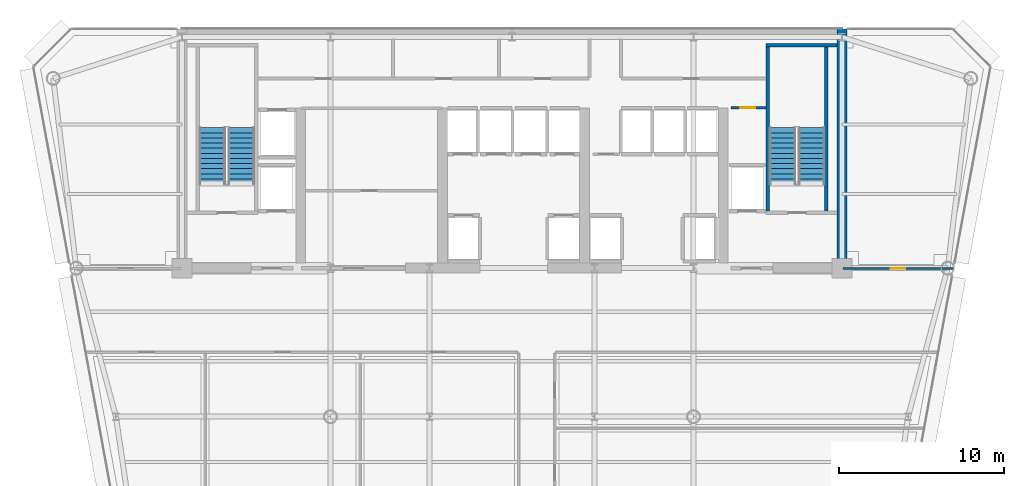
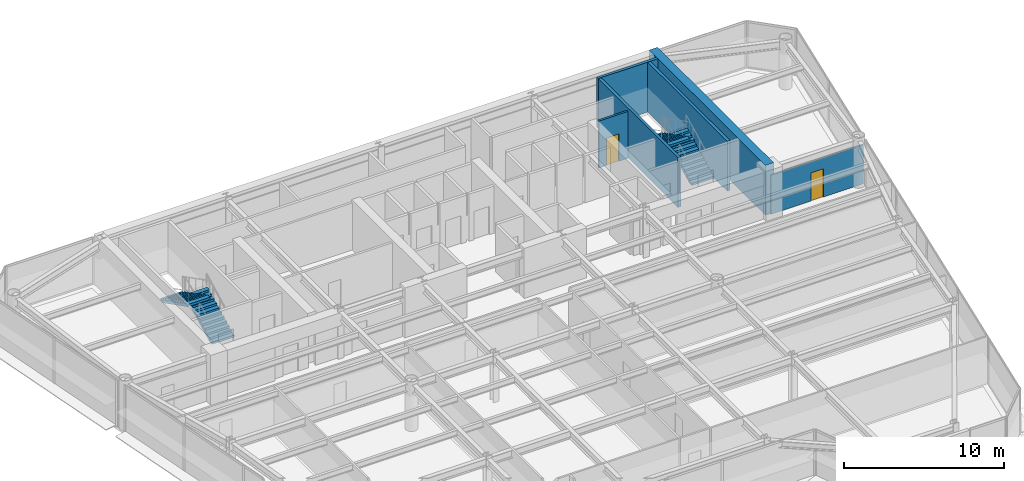
# One storey, part 13 of 17: 6 walls, 4 stair flights, 2 doors, 2 openings, 2 elements without a shape of their own.
"""IFC4 building model written with IfcOpenShell, lengths in metres."""

from ifc_helpers import new_model, si_unit, direction, frame, frame_2d, origin, place, context, subcontext, project, spatial, polyline, rectangle, outline, extrude, source, transform, mapped, material, layer, layer_set, type_object, element, fill, aggregate, save


model = new_model("IFC4")

# Units and contexts
model_context = context("Model", 3, precision=1e-05, world=origin(), true_north=direction((0.0, 1.0)))
body_context = subcontext(model_context, "Body", "Model", "MODEL_VIEW")
ifc_project = project(units=[si_unit("LENGTHUNIT", "METRE"), si_unit("AREAUNIT", "SQUARE_METRE"), si_unit("VOLUMEUNIT", "CUBIC_METRE"), si_unit("PLANEANGLEUNIT", "RADIAN"), si_unit("MASSUNIT", "GRAM", prefix="KILO")], contexts=[model_context])

# Site, building, storey
site_placement = place(None, origin())
site = spatial("IfcSite", under=ifc_project, at=site_placement, CompositionType="ELEMENT")
building_placement = place(site_placement, origin())
building = spatial("IfcBuilding", under=site, at=building_placement, Name="Vaeldorn Concourse Tower", CompositionType="ELEMENT")
storey_placement = place(building_placement, frame((0.0, 0.0, 180.39990234375)))
storey = spatial("IfcBuildingStorey", under=building, at=storey_placement, Name="L46", CompositionType="ELEMENT", Elevation=180.39990234375)

# Wall
ifc_material_1 = material(Name="Concrete C50/60", Category="concrete")
ifc_layer_1 = layer(ifc_material_1, 0.60009765625)
ifc_layer_set_1 = layer_set([ifc_layer_1], Name="Concrete C50/60")
wall_type_1 = type_object("IfcWallType", Name="WL-CORE-600", PredefinedType="SHEAR", material=ifc_layer_set_1)
wall_1_placement = place(storey_placement, frame((54.0, 36.5, 0.0), z_axis=(0.0, 0.0, 1.0), x_axis=(0.0, 1.0, 0.0)))
element("IfcWall", 1, at=wall_1_placement, inside=storey, type_object=wall_type_1, Name="Rear Core Shear Wall L46 E1", PredefinedType="SHEAR", context=body_context, shape_type="SweptSolid", body=[
    extrude(rectangle(XDim=14.5, YDim=0.60009765625, at=frame_2d((7.25, 0.0))), origin(), (0.0, 0.0, 1.0), 3.800048828125),
])

# Wall, opening, door
ifc_material_2 = material(Name="Gypsum Board Partition", Category="gypsum")
ifc_layer_2 = layer(ifc_material_2, 0.1201171875)
ifc_layer_set_2 = layer_set([ifc_layer_2], Name="Gypsum Board Partition")
wall_type_2 = type_object("IfcWallType", Name="WL-PART-120", PredefinedType="PARTITIONING", material=ifc_layer_set_2)
wall_2_placement = place(storey_placement, frame((54.06005859375, 36.47998046875, 0.0), z_axis=(0.0, 0.0, 1.0), x_axis=(1.0, 0.0, 0.0)))
wall_2 = element("IfcWall", 2, at=wall_2_placement, inside=storey, type_object=wall_type_2, Name="Interior Wall PW-L46-NES", PredefinedType="PARTITIONING", context=body_context, shape_type="SweptSolid", body=[
    extrude(rectangle(XDim=6.65087890625, YDim=0.1201171875, at=frame_2d((3.325439453125, 0.0))), origin(), (0.0, 0.0, 1.0), 2.97021484375),
])
opening_1_placement = place(wall_2_placement, frame((2.875, 0.0, 0.0)))
opening_1 = element("IfcOpeningElement", 3, at=opening_1_placement, cuts=wall_2, Name="Opening D-03", PredefinedType="OPENING", context=body_context, shape_type="SweptSolid", body=[
    extrude(rectangle(XDim=0.89990234375, YDim=2.14990234375, at=frame_2d((0.449951171875, 1.074951171875))), frame((0.0, 0.070068359375, 0.0), z_axis=(0.0, -1.0, 0.0), x_axis=(1.0, 0.0, 0.0)), (0.0, 0.0, 1.0), 0.14013671875),
])
ifc_material_3 = material(Name="Acoustic Bronze-Framed Glass Door", Category="glass")
door_type_1 = type_object("IfcDoorType", Name="DR-INT-900", OperationType="NOTDEFINED", PredefinedType="DOOR", material=ifc_material_3)
shared_shape_1 = source(origin(), body_context, "Body", "SweptSolid", [
    extrude(rectangle(XDim=0.89990234375, YDim=2.14990234375, at=frame_2d((0.449951171875, 1.074951171875))), frame((0.0, 0.02490234375, 0.0), z_axis=(0.0, -1.0, 0.0), x_axis=(1.0, 0.0, 0.0)), (0.0, 0.0, 1.0), 0.050048828125),
])
door_1_placement = place(opening_1_placement, origin())
door_1 = element("IfcDoor", 4, at=door_1_placement, inside=storey, type_object=door_type_1, Name="Interior Door DR-L46-NEC", OperationType="SINGLE_SWING_RIGHT", OverallHeight=2.14990234375, OverallWidth=0.89990234375, PredefinedType="DOOR", context=body_context, shape_type="MappedRepresentation", body=[
    mapped(shared_shape_1, transform((0.0, 0.0, 0.0), scale=1.0)),
])
fill(opening_1, door_1)

ifc_layer_3 = layer(ifc_material_2, 0.14990234375)
ifc_layer_set_3 = layer_set([ifc_layer_3], Name="Gypsum Board Partition")
wall_type_3 = type_object("IfcWallType", Name="WL-PART-150", PredefinedType="PARTITIONING", material=ifc_layer_set_3)
wall_3_placement = place(storey_placement, frame((47.280029296875, 46.219970703125, 0.0), z_axis=(0.0, 0.0, 1.0), x_axis=(1.0, 0.0, 0.0)))
wall_3 = element("IfcWall", 5, at=wall_3_placement, inside=storey, type_object=wall_type_3, Name="Interior Wall CW-L46-CRSE-N", PredefinedType="PARTITIONING", context=body_context, shape_type="SweptSolid", body=[
    extrude(rectangle(XDim=2.099853515625, YDim=0.14990234375, at=frame_2d((1.0498046875, 0.0))), origin(), (0.0, 0.0, 1.0), 3.580078125),
])
opening_2_placement = place(wall_3_placement, frame((0.550048828125, 0.0, 0.0)))
opening_2 = element("IfcOpeningElement", 6, at=opening_2_placement, cuts=wall_3, Name="Opening D-02", PredefinedType="OPENING", context=body_context, shape_type="SweptSolid", body=[
    extrude(rectangle(XDim=0.89990234375, YDim=2.10009765625, at=frame_2d((0.449951171875, 1.050048828125))), frame((0.0, 0.0849609375, 0.0), z_axis=(0.0, -1.0, 0.0), x_axis=(1.0, 0.0, 0.0)), (0.0, 0.0, 1.0), 0.169921875),
])
ifc_material_4 = material(Name="Fire-Rated Timber Leaf", Category="wood")
door_type_2 = type_object("IfcDoorType", Name="DR-FD30-900", OperationType="NOTDEFINED", PredefinedType="DOOR", material=ifc_material_4)
shared_shape_2 = source(origin(), body_context, "Body", "SweptSolid", [
    extrude(rectangle(XDim=0.89990234375, YDim=2.10009765625, at=frame_2d((0.449951171875, 1.050048828125))), frame((0.0, 0.02490234375, 0.0), z_axis=(0.0, -1.0, 0.0), x_axis=(1.0, 0.0, 0.0)), (0.0, 0.0, 1.0), 0.050048828125),
])
door_2_placement = place(opening_2_placement, origin())
door_2 = element("IfcDoor", 7, at=door_2_placement, inside=storey, type_object=door_type_2, Name="Interior Door DR-L46-CRSE", OperationType="SINGLE_SWING_RIGHT", OverallHeight=2.10009765625, OverallWidth=0.89990234375, PredefinedType="DOOR", context=body_context, shape_type="MappedRepresentation", body=[
    mapped(shared_shape_2, transform((0.0, 0.0, 0.0), scale=1.0)),
])
fill(opening_2, door_2)

# Walls
ifc_layer_4 = layer(ifc_material_1, 0.199951171875)
ifc_layer_set_4 = layer_set([ifc_layer_4], Name="Concrete C50/60")
wall_type_4 = type_object("IfcWallType", Name="WL-SHAFT-200", PredefinedType="SOLIDWALL", material=ifc_layer_set_4)
wall_4_placement = place(storey_placement, frame((49.39990234375, 50.0, 0.0), z_axis=(0.0, 0.0, 1.0), x_axis=(1.0, 0.0, 0.0)))
element("IfcWall", 8, at=wall_4_placement, inside=storey, type_object=wall_type_4, Name="Stair Shaft Wall CW-L46-ST-2-N", PredefinedType="SOLIDWALL", context=body_context, shape_type="SweptSolid", body=[
    extrude(rectangle(XDim=4.300048828125, YDim=0.199951171875, at=frame_2d((2.14990234375, 0.0))), origin(), (0.0, 0.0, 1.0), 3.800048828125),
])
for number, where, z_axis, x_axis, name in (
    (9, (49.5, 39.9599609375, 0.0), (0.0, 0.0, 1.0), (0.0, 1.0, 0.0), "Stair Shaft Wall CW-L46-ST-2-W"),
    (10, (53.050048828125, 39.9599609375, 0.0), (0.0, 0.0, 1.0), (0.0, 1.0, 0.0), "Stair Shaft Wall CW-L46-ST-2-E"),
):
    element("IfcWall", number, at=place(storey_placement, frame(where, z_axis=z_axis, x_axis=x_axis)), inside=storey, type_object=wall_type_4, Name=name, PredefinedType="SOLIDWALL", context=body_context, shape_type="SweptSolid", body=[
        extrude(rectangle(XDim=9.929931640625, YDim=0.199951171875, at=frame_2d((4.96484375, 0.0))), origin(), (0.0, 0.0, 1.0), 3.800048828125),
    ])

# Stair, stair flights
ifc_material_5 = material(Name="Precast concrete C40/50", Category="concrete")
stair_type = type_object("IfcStairType", Name="STR-DOG-24x158", PredefinedType="HALF_TURN_STAIR", material=ifc_material_5)
stair_1_placement = place(storey_placement, origin())
stair_1 = element("IfcStair", 11, at=stair_1_placement, inside=storey, type_object=stair_type, Name="L46 West Core Exit Stair ST-1", PredefinedType="HALF_TURN_STAIR")
stair_flight_type = type_object("IfcStairFlightType", Name="STF-STR-12x158", PredefinedType="STRAIGHT", material=ifc_material_5)
stair_flight_1_placement = place(storey_placement, frame((17.60009765625, 41.60009765625, 0.0), z_axis=(0.0, 0.0, 1.0), x_axis=(0.0, 1.0, 0.0)))
stair_flight_1 = element("IfcStairFlight", 12, at=stair_flight_1_placement, type_object=stair_flight_type, Name="ST-1 flight 1", NumberOfRisers=12, NumberOfTreads=11, PredefinedType="STRAIGHT", RiserHeight=0.158333333, TreadLength=0.31, context=body_context, shape_type="SweptSolid", body=[
    extrude(outline(polyline([(0.0, 0.0), (0.0, 0.158447265625), (0.31005859375, 0.158447265625), (0.31005859375, 0.316650390625), (0.6201171875, 0.316650390625), (0.6201171875, 0.47509765625), (0.929931640625, 0.47509765625), (0.929931640625, 0.63330078125), (1.239990234375, 0.63330078125), (1.239990234375, 0.791748046875), (1.550048828125, 0.791748046875), (1.550048828125, 0.949951171875), (1.860107421875, 0.949951171875), (1.860107421875, 1.1083984375), (2.169921875, 1.1083984375), (2.169921875, 1.2666015625), (2.47998046875, 1.2666015625), (2.47998046875, 1.425048828125), (2.7900390625, 1.425048828125), (2.7900390625, 1.583251953125), (3.10009765625, 1.583251953125), (3.10009765625, 1.74169921875), (3.409912109375, 1.74169921875), (3.409912109375, 1.89990234375), (3.409912109375, 1.5732421875), (0.32958984375, 0.0), (0.0, 0.0)])), frame((0.0, 0.800048828125, 0.0), z_axis=(0.0, -1.0, 0.0), x_axis=(1.0, 0.0, 0.0)), (0.0, 0.0, 1.0), 1.60009765625),
])
stair_flight_2_placement = place(storey_placement, frame((15.85009765625, 45.010009765625, 1.900146484375), z_axis=(0.0, 0.0, 1.0), x_axis=(0.0, -1.0, 0.0)))
stair_flight_2 = element("IfcStairFlight", 13, at=stair_flight_2_placement, type_object=stair_flight_type, Name="ST-1 flight 2", NumberOfRisers=12, NumberOfTreads=11, PredefinedType="STRAIGHT", RiserHeight=0.158333333, TreadLength=0.31, context=body_context, shape_type="SweptSolid", body=[
    extrude(outline(polyline([(0.0, 0.0), (0.0, 0.158447265625), (0.31005859375, 0.158447265625), (0.31005859375, 0.316650390625), (0.6201171875, 0.316650390625), (0.6201171875, 0.47509765625), (0.929931640625, 0.47509765625), (0.929931640625, 0.63330078125), (1.239990234375, 0.63330078125), (1.239990234375, 0.791748046875), (1.550048828125, 0.791748046875), (1.550048828125, 0.949951171875), (1.860107421875, 0.949951171875), (1.860107421875, 1.1083984375), (2.169921875, 1.1083984375), (2.169921875, 1.2666015625), (2.47998046875, 1.2666015625), (2.47998046875, 1.425048828125), (2.7900390625, 1.425048828125), (2.7900390625, 1.583251953125), (3.10009765625, 1.583251953125), (3.10009765625, 1.74169921875), (3.409912109375, 1.74169921875), (3.409912109375, 1.89990234375), (3.409912109375, 1.5732421875), (0.32958984375, 0.0), (0.0, 0.0)])), frame((0.0, 0.800048828125, 0.0), z_axis=(0.0, -1.0, 0.0), x_axis=(1.0, 0.0, 0.0)), (0.0, 0.0, 1.0), 1.60009765625),
])
aggregate(stair_1, [stair_flight_1, stair_flight_2])

stair_2_placement = place(storey_placement, origin())
stair_2 = element("IfcStair", 14, at=stair_2_placement, inside=storey, type_object=stair_type, Name="L46 East Core Exit Stair ST-2", PredefinedType="HALF_TURN_STAIR")
stair_flight_3_placement = place(storey_placement, frame((52.14990234375, 41.60009765625, 0.0), z_axis=(0.0, 0.0, 1.0), x_axis=(0.0, 1.0, 0.0)))
stair_flight_3 = element("IfcStairFlight", 15, at=stair_flight_3_placement, type_object=stair_flight_type, Name="ST-2 flight 1", NumberOfRisers=12, NumberOfTreads=11, PredefinedType="STRAIGHT", RiserHeight=0.158333333, TreadLength=0.31, context=body_context, shape_type="SweptSolid", body=[
    extrude(outline(polyline([(0.0, 0.0), (0.0, 0.158447265625), (0.31005859375, 0.158447265625), (0.31005859375, 0.316650390625), (0.6201171875, 0.316650390625), (0.6201171875, 0.47509765625), (0.929931640625, 0.47509765625), (0.929931640625, 0.63330078125), (1.239990234375, 0.63330078125), (1.239990234375, 0.791748046875), (1.550048828125, 0.791748046875), (1.550048828125, 0.949951171875), (1.860107421875, 0.949951171875), (1.860107421875, 1.1083984375), (2.169921875, 1.1083984375), (2.169921875, 1.2666015625), (2.47998046875, 1.2666015625), (2.47998046875, 1.425048828125), (2.7900390625, 1.425048828125), (2.7900390625, 1.583251953125), (3.10009765625, 1.583251953125), (3.10009765625, 1.74169921875), (3.409912109375, 1.74169921875), (3.409912109375, 1.89990234375), (3.409912109375, 1.5732421875), (0.32958984375, 0.0), (0.0, 0.0)])), frame((0.0, 0.800048828125, 0.0), z_axis=(0.0, -1.0, 0.0), x_axis=(1.0, 0.0, 0.0)), (0.0, 0.0, 1.0), 1.60009765625),
])
stair_flight_4_placement = place(storey_placement, frame((50.39990234375, 45.010009765625, 1.900146484375), z_axis=(0.0, 0.0, 1.0), x_axis=(0.0, -1.0, 0.0)))
stair_flight_4 = element("IfcStairFlight", 16, at=stair_flight_4_placement, type_object=stair_flight_type, Name="ST-2 flight 2", NumberOfRisers=12, NumberOfTreads=11, PredefinedType="STRAIGHT", RiserHeight=0.158333333, TreadLength=0.31, context=body_context, shape_type="SweptSolid", body=[
    extrude(outline(polyline([(0.0, 0.0), (0.0, 0.158447265625), (0.31005859375, 0.158447265625), (0.31005859375, 0.316650390625), (0.6201171875, 0.316650390625), (0.6201171875, 0.47509765625), (0.929931640625, 0.47509765625), (0.929931640625, 0.63330078125), (1.239990234375, 0.63330078125), (1.239990234375, 0.791748046875), (1.550048828125, 0.791748046875), (1.550048828125, 0.949951171875), (1.860107421875, 0.949951171875), (1.860107421875, 1.1083984375), (2.169921875, 1.1083984375), (2.169921875, 1.2666015625), (2.47998046875, 1.2666015625), (2.47998046875, 1.425048828125), (2.7900390625, 1.425048828125), (2.7900390625, 1.583251953125), (3.10009765625, 1.583251953125), (3.10009765625, 1.74169921875), (3.409912109375, 1.74169921875), (3.409912109375, 1.89990234375), (3.409912109375, 1.5732421875), (0.32958984375, 0.0), (0.0, 0.0)])), frame((0.0, 0.800048828125, 0.0), z_axis=(0.0, -1.0, 0.0), x_axis=(1.0, 0.0, 0.0)), (0.0, 0.0, 1.0), 1.60009765625),
])
aggregate(stair_2, [stair_flight_3, stair_flight_4])

save(model, "model.ifc")
